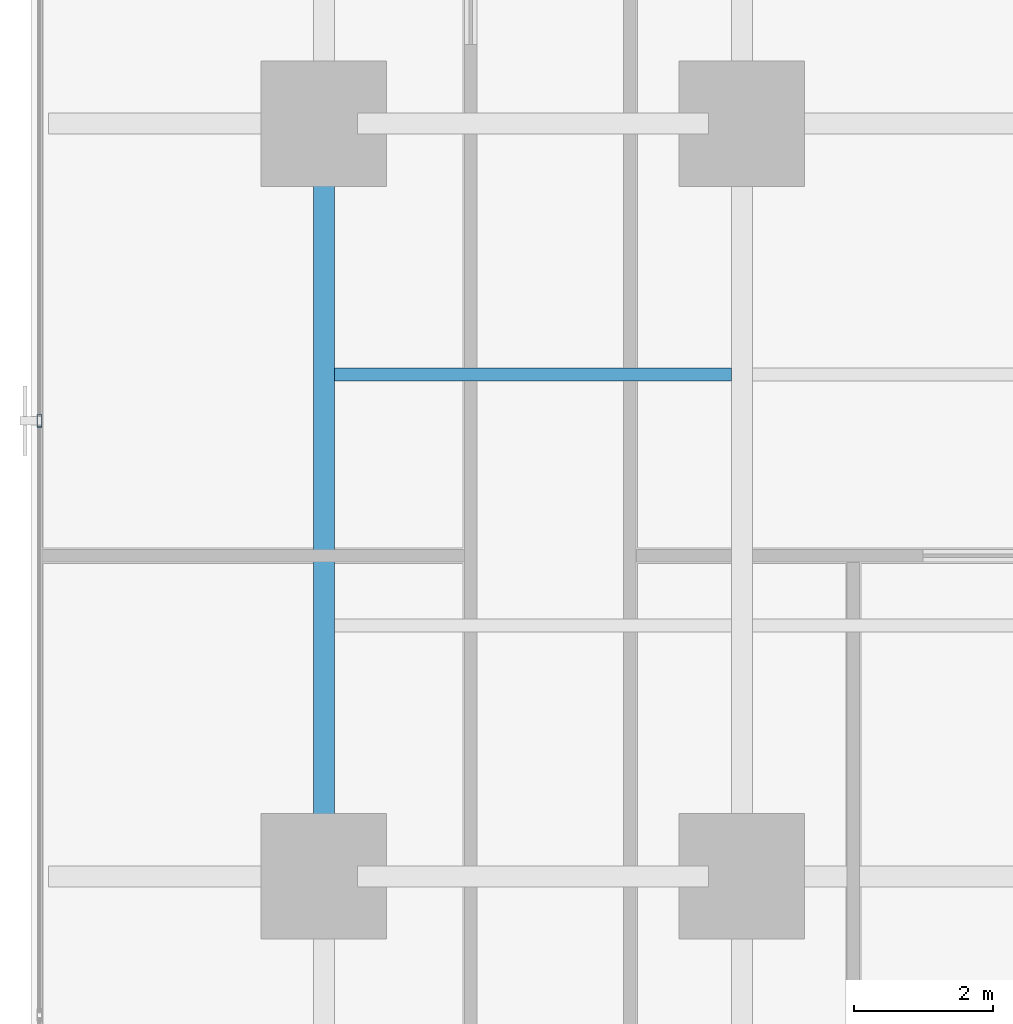
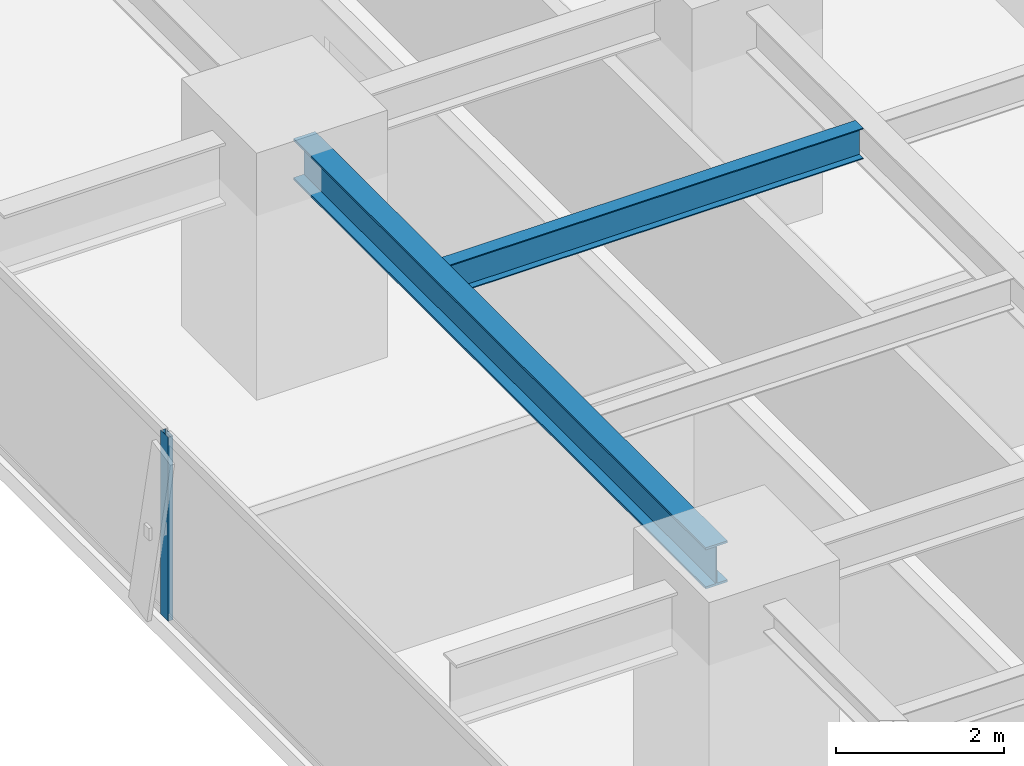
# One storey, part 7 of 33: 2 beams, 1 member, 1 element without a shape of its own.
"""IFC4 building model written with IfcOpenShell, lengths in metres."""

from ifc_helpers import new_model, si_unit, direction, frame, origin, origin_2d, place, context, subcontext, project, spatial, hollow_rectangle, i_section, extrude, source, transform, mapped, material, layer, layer_set, material_profile, profile_set, type_object, element, aggregate, save


model = new_model("IFC4")

# Units and contexts
model_context = context("Model", 3, precision=1e-05, world=origin(), true_north=direction((0.0, 1.0)))
body_context = subcontext(model_context, "Body", "Model", "MODEL_VIEW")
ifc_project = project(units=[si_unit("LENGTHUNIT", "METRE"), si_unit("AREAUNIT", "SQUARE_METRE"), si_unit("VOLUMEUNIT", "CUBIC_METRE"), si_unit("PLANEANGLEUNIT", "RADIAN"), si_unit("MASSUNIT", "GRAM", prefix="KILO")], contexts=[model_context])

# Site, building, storey
site_placement = place(None, origin())
site = spatial("IfcSite", under=ifc_project, at=site_placement, CompositionType="ELEMENT")
building_placement = place(site_placement, origin())
building = spatial("IfcBuilding", under=site, at=building_placement, Name="Sumidabori Civic Tower", CompositionType="ELEMENT")
storey_placement = place(building_placement, frame((0.0, 0.0, 66.800048828125)))
storey = spatial("IfcBuildingStorey", under=building, at=storey_placement, Name="L17", CompositionType="ELEMENT", Elevation=66.800048828125)

# Beams
ifc_material_1 = material(Name="Steel SN490", Category="steel")
ifc_material_profile_1 = material_profile(ifc_material_1, i_section(OverallWidth=0.300048828125, OverallDepth=0.60009765625, WebThickness=0.015380859375, FlangeThickness=0.030029296875, at=origin_2d()), Name="HE 600 B")
ifc_profile_set_1 = profile_set([ifc_material_profile_1], Name="Steel SN490")
beam_type_1 = type_object("IfcBeamType", Name="BM-GIRD-600", PredefinedType="BEAM", material=ifc_profile_set_1)
shared_shape_1 = source(origin(), body_context, "Body", "SweptSolid", [
    extrude(i_section(OverallWidth=0.300048828125, OverallDepth=0.60009765625, WebThickness=0.015380859375, FlangeThickness=0.030029296875, at=origin_2d()), origin(), (0.0, 0.0, 1.0), 9.840087890625),
])
beam_1_placement = place(storey_placement, frame((-22.800048828125, -10.320068359375, 3.0), z_axis=(0.0, 1.0, 0.0), x_axis=(-1.0, 0.0, 0.0)))
element("IfcBeam", 1, at=beam_1_placement, inside=storey, type_object=beam_type_1, Name="Primary Girder L17 GY-22", PredefinedType="BEAM", context=body_context, shape_type="MappedRepresentation", body=[
    mapped(shared_shape_1, transform((0.0, 0.0, 0.0), x_axis=(1.0, 0.0, 0.0), y_axis=(0.0, 1.0, 0.0), z_axis=(0.0, 0.0, 1.0), scale=1.0)),
])
ifc_material_profile_2 = material_profile(ifc_material_1, i_section(OverallWidth=0.18994140625, OverallDepth=0.449951171875, WebThickness=0.009521484375, FlangeThickness=0.0146484375, at=origin_2d()), Name="IPE 450")
ifc_profile_set_2 = profile_set([ifc_material_profile_2], Name="Steel SN490")
beam_type_2 = type_object("IfcBeamType", Name="BM-JST-450", PredefinedType="JOIST", material=ifc_profile_set_2)
shared_shape_2 = source(origin(), body_context, "Body", "SweptSolid", [
    extrude(i_section(OverallWidth=0.18994140625, OverallDepth=0.449951171875, WebThickness=0.009521484375, FlangeThickness=0.0146484375, at=origin_2d()), origin(), (0.0, 0.0, 1.0), 5.699951171875),
])
beam_2_placement = place(storey_placement, frame((-22.64990234375, -3.60009765625, 3.074951171875), z_axis=(1.0, 0.0, 0.0), x_axis=(0.0, 1.0, 0.0)))
element("IfcBeam", 2, at=beam_2_placement, inside=storey, type_object=beam_type_2, Name="Outer Bay Floor Joist L17 JSTO-51", PredefinedType="JOIST", context=body_context, shape_type="MappedRepresentation", body=[
    mapped(shared_shape_2, transform((0.0, 0.0, 0.0), x_axis=(1.0, 0.0, 0.0), y_axis=(0.0, 1.0, 0.0), z_axis=(0.0, 0.0, 1.0), scale=1.0)),
])

# Curtain wall, member
ifc_material_2 = material(Name="Anodised Bronze Aluminium AW-6063-T6", Category="aluminium")
ifc_layer = layer(ifc_material_2, 0.179931640625, Name="Anodised Bronze Aluminium AW-6063-T6")
ifc_layer_set = layer_set([ifc_layer], Name="Anodised Bronze Aluminium AW-6063-T6")
curtain_wall_type = type_object("IfcCurtainWallType", Name="CW-SYS-2", PredefinedType="NOTDEFINED", material=ifc_layer_set)
curtain_wall_placement = place(storey_placement, origin())
curtain_wall = element("IfcCurtainWall", 3, at=curtain_wall_placement, inside=storey, type_object=curtain_wall_type, Name="Curtain Wall CW:L17:R10", PredefinedType="NOTDEFINED")
ifc_material_profile_3 = material_profile(ifc_material_2, hollow_rectangle(XDim=0.070068359375, YDim=0.179931640625, WallThickness=0.006103515625, at=origin_2d()), Name="ALU MULLION 180x70")
ifc_profile_set_3 = profile_set([ifc_material_profile_3], Name="Anodised Bronze Aluminium AW-6063-T6")
member_type = type_object("IfcMemberType", Name="CW-MUL-180", PredefinedType="MULLION", material=ifc_profile_set_3)
shared_shape_3 = source(origin(), body_context, "Body", "SweptSolid", [
    extrude(hollow_rectangle(XDim=0.070068359375, YDim=0.179931640625, WallThickness=0.006103515625, at=origin_2d()), origin(), (0.0, 0.0, 1.0), 2.679931640625),
])
member_placement = place(storey_placement, frame((-26.8798828125, -4.263916015625, 0.0), z_axis=(0.0, 0.0, 1.0), x_axis=(1.0, 0.0, 0.0)))
member = element("IfcMember", 4, at=member_placement, type_object=member_type, Name="CW-2 mullion 4", PredefinedType="MULLION", context=body_context, shape_type="MappedRepresentation", body=[
    mapped(shared_shape_3, transform((0.0, 0.0, 0.0), x_axis=(1.0, 0.0, 0.0), y_axis=(0.0, 1.0, 0.0), z_axis=(0.0, 0.0, 1.0), scale=1.0)),
])
aggregate(curtain_wall, [member])

save(model, "model.ifc")
